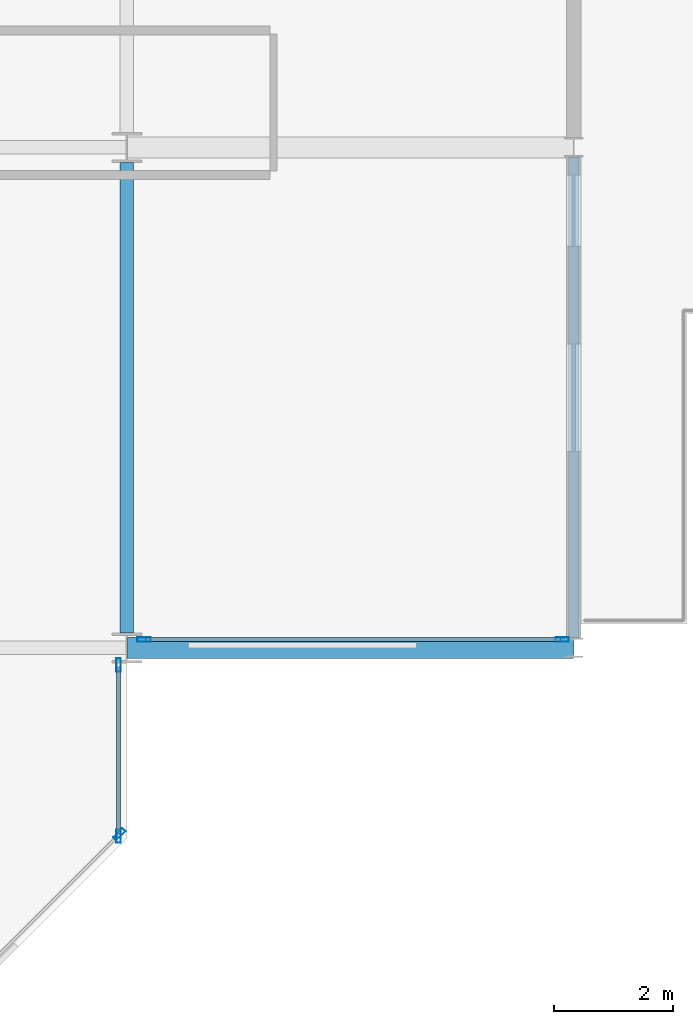
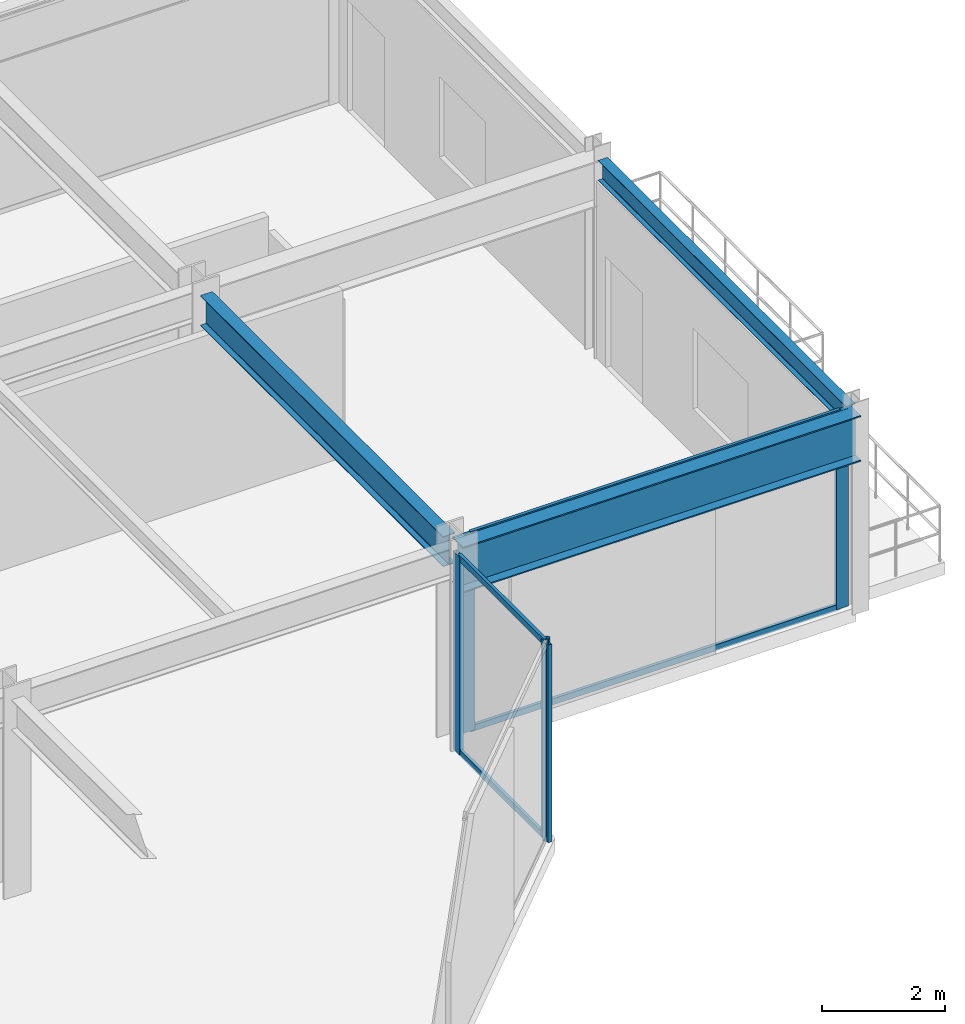
# One storey, part 13 of 26: 9 members, 3 beams, 3 elements without a shape of their own.
"""IFC4 building model written with IfcOpenShell, lengths in metres."""

from ifc_helpers import new_model, si_unit, direction, frame, origin, origin_2d, place, context, subcontext, project, spatial, hollow_rectangle, i_section, extrude, material, layer, layer_set, material_profile, profile_set, type_object, element, aggregate, save


model = new_model("IFC4")

# Units and contexts
model_context = context("Model", 3, precision=1e-05, world=origin(), true_north=direction((0.0, 1.0)))
body_context = subcontext(model_context, "Body", "Model", "MODEL_VIEW")
ifc_project = project(units=[si_unit("LENGTHUNIT", "METRE"), si_unit("AREAUNIT", "SQUARE_METRE"), si_unit("VOLUMEUNIT", "CUBIC_METRE"), si_unit("PLANEANGLEUNIT", "RADIAN"), si_unit("MASSUNIT", "GRAM", prefix="KILO")], contexts=[model_context])

# Site, building, storey
site_placement = place(None, origin())
site = spatial("IfcSite", under=ifc_project, at=site_placement, CompositionType="ELEMENT")
building_placement = place(site_placement, origin())
building = spatial("IfcBuilding", under=site, at=building_placement, Name="Nerrivon Quay Data Exchange", CompositionType="ELEMENT")
storey_placement = place(building_placement, frame((0.0, 0.0, 71.0)))
storey = spatial("IfcBuildingStorey", under=building, at=storey_placement, Name="L16", CompositionType="ELEMENT", Elevation=71.0)

# Beams
ifc_material_1 = material(Name="Steel Grade 350", Category="steel")
ifc_material_profile_1 = material_profile(ifc_material_1, i_section(OverallWidth=0.35009765625, OverallDepth=0.909912109375, WebThickness=0.011962890625, FlangeThickness=0.02490234375, at=origin_2d()), Name="900WB218")
ifc_profile_set_1 = profile_set([ifc_material_profile_1], Name="Steel Grade 350")
beam_type_1 = type_object("IfcBeamType", Name="BM-CANT-900WB", PredefinedType="USERDEFINED", material=ifc_profile_set_1)
beam_1_placement = place(storey_placement, frame((50.4140625, 8.39990234375, 3.469970703125), z_axis=(1.0, 0.0, 0.0), x_axis=(0.0, 1.0, 0.0)))
element("IfcBeam", 1, at=beam_1_placement, inside=storey, type_object=beam_type_1, Name="L16 East Hooked Cantilever Girder Y=8.4", ObjectType="TRANSFER", PredefinedType="USERDEFINED", context=body_context, shape_type="SweptSolid", body=[
    extrude(i_section(OverallWidth=0.35009765625, OverallDepth=0.909912109375, WebThickness=0.011962890625, FlangeThickness=0.02490234375, at=origin_2d()), origin(), (0.0, 0.0, 1.0), 7.47802734375),
])
ifc_material_profile_2 = material_profile(ifc_material_1, i_section(OverallWidth=0.22802734375, OverallDepth=0.60205078125, WebThickness=0.010498046875, FlangeThickness=0.014892578125, FilletRadius=0.013916015625, at=origin_2d()), Name="610UB101")
ifc_profile_set_2 = profile_set([ifc_material_profile_2], Name="Steel Grade 350")
beam_type_2 = type_object("IfcBeamType", Name="BM-G2-610UB101", PredefinedType="BEAM", material=ifc_profile_set_2)
beam_2_placement = place(storey_placement, frame((50.39990234375, 8.64990234375, 3.6240234375), z_axis=(0.0, 1.0, 0.0), x_axis=(-1.0, 0.0, 0.0)))
element("IfcBeam", 2, at=beam_2_placement, inside=storey, type_object=beam_type_2, Name="L16 NS Girder X=50.4 (8.4..16.8)", PredefinedType="BEAM", context=body_context, shape_type="SweptSolid", body=[
    extrude(i_section(OverallWidth=0.22802734375, OverallDepth=0.60205078125, WebThickness=0.010498046875, FlangeThickness=0.014892578125, FilletRadius=0.013916015625, at=origin_2d()), origin(), (0.0, 0.0, 1.0), 7.900146484375),
])
ifc_material_profile_3 = material_profile(ifc_material_1, i_section(OverallWidth=0.177978515625, OverallDepth=0.403076171875, WebThickness=0.007568359375, FlangeThickness=0.010986328125, FilletRadius=0.011474609375, at=origin_2d()), Name="410UB53.7")
ifc_profile_set_3 = profile_set([ifc_material_profile_3], Name="Steel Grade 350")
beam_type_3 = type_object("IfcBeamType", Name="BM-SP2-410UB54", PredefinedType="SPANDREL", material=ifc_profile_set_3)
beam_3_placement = place(storey_placement, frame((57.89990234375, 8.5634765625, 3.723388671875), z_axis=(0.0, 1.0, 0.0), x_axis=(-1.0, 0.0, 0.0)))
element("IfcBeam", 3, at=beam_3_placement, inside=storey, type_object=beam_type_3, Name="L16 East Hooked Edge Spandrel", PredefinedType="SPANDREL", context=body_context, shape_type="SweptSolid", body=[
    extrude(i_section(OverallWidth=0.177978515625, OverallDepth=0.403076171875, WebThickness=0.007568359375, FlangeThickness=0.010986328125, FilletRadius=0.011474609375, at=origin_2d()), origin(), (0.0, 0.0, 1.0), 8.072998046875),
])

# Curtain wall, members
ifc_material_2 = material(Name="Anodised aluminium 6063-T6", Category="aluminium")
ifc_layer_1 = layer(ifc_material_2, 0.199951171875)
ifc_layer_set_1 = layer_set([ifc_layer_1], Name="Anodised aluminium 6063-T6")
curtain_wall_type_1 = type_object("IfcCurtainWallType", Name="CW-SYS-04", PredefinedType="NOTDEFINED", material=ifc_layer_set_1)
curtain_wall_1_placement = place(storey_placement, origin())
curtain_wall_1 = element("IfcCurtainWall", 4, at=curtain_wall_1_placement, inside=storey, type_object=curtain_wall_type_1, Name="L16 Unitised Curtain Wall 3", PredefinedType="NOTDEFINED")
ifc_material_profile_4 = material_profile(ifc_material_2, hollow_rectangle(XDim=0.074951171875, YDim=0.219970703125, WallThickness=0.00390625, at=origin_2d()), Name="ALU-MULL-220x75")
ifc_profile_set_4 = profile_set([ifc_material_profile_4], Name="Anodised aluminium 6063-T6")
member_type_1 = type_object("IfcMemberType", Name="CWM-220x75", PredefinedType="MULLION", material=ifc_profile_set_4)
member_1_placement = place(storey_placement, frame((57.70703125, 8.5400390625, 0.0), z_axis=(0.0, 0.0, 1.0), x_axis=(0.0, -1.0, 0.0)))
member_1 = element("IfcMember", 5, at=member_1_placement, type_object=member_type_1, Name="CW04 mullion 1", PredefinedType="MULLION", context=body_context, shape_type="SweptSolid", body=[
    extrude(hollow_rectangle(XDim=0.074951171875, YDim=0.219970703125, WallThickness=0.00390625, at=origin_2d()), origin(), (0.0, 0.0, 1.0), 3.925048828125),
])
member_2_placement = place(storey_placement, frame((50.6875, 8.5400390625, 0.0), z_axis=(0.0, 0.0, 1.0), x_axis=(0.0, -1.0, 0.0)))
member_2 = element("IfcMember", 6, at=member_2_placement, type_object=member_type_1, Name="CW04 mullion 2", PredefinedType="MULLION", context=body_context, shape_type="SweptSolid", body=[
    extrude(hollow_rectangle(XDim=0.074951171875, YDim=0.219970703125, WallThickness=0.00390625, at=origin_2d()), origin(), (0.0, 0.0, 1.0), 3.925048828125),
])

ifc_layer_2 = layer(ifc_material_2, 0.219970703125)
ifc_layer_set_2 = layer_set([ifc_layer_2], Name="Anodised aluminium 6063-T6")
curtain_wall_type_2 = type_object("IfcCurtainWallType", Name="CW-SYS-01", PredefinedType="NOTDEFINED", material=ifc_layer_set_2)
curtain_wall_2_placement = place(storey_placement, origin())
curtain_wall_2 = element("IfcCurtainWall", 7, at=curtain_wall_2_placement, inside=storey, type_object=curtain_wall_type_2, Name="L16 Unitised Curtain Wall 4", PredefinedType="NOTDEFINED")
member_3_placement = place(storey_placement, frame((50.260009765625, 8.112548828125, 0.0), z_axis=(0.0, 0.0, 1.0), x_axis=(1.0, 0.0, 0.0)))
member_3 = element("IfcMember", 8, at=member_3_placement, type_object=member_type_1, Name="CW01 mullion 1", PredefinedType="MULLION", context=body_context, shape_type="SweptSolid", body=[
    extrude(hollow_rectangle(XDim=0.074951171875, YDim=0.219970703125, WallThickness=0.00390625, at=origin_2d()), origin(), (0.0, 0.0, 1.0), 3.925048828125),
])
member_4_placement = place(storey_placement, frame((50.260009765625, 5.237548828125, 0.0), z_axis=(0.0, 0.0, 1.0), x_axis=(1.0, 0.0, 0.0)))
member_4 = element("IfcMember", 9, at=member_4_placement, type_object=member_type_1, Name="CW01 mullion 2", PredefinedType="MULLION", context=body_context, shape_type="SweptSolid", body=[
    extrude(hollow_rectangle(XDim=0.074951171875, YDim=0.219970703125, WallThickness=0.00390625, at=origin_2d()), origin(), (0.0, 0.0, 1.0), 3.925048828125),
])

# Curtain wall, member
curtain_wall_3_placement = place(storey_placement, origin())
curtain_wall_3 = element("IfcCurtainWall", 10, at=curtain_wall_3_placement, inside=storey, type_object=curtain_wall_type_2, Name="L16 Unitised Curtain Wall 5", PredefinedType="NOTDEFINED")
member_5_placement = place(storey_placement, frame((50.2744140625, 5.2724609375, 0.0), z_axis=(0.0, 0.0, 1.0), x_axis=(0.707106781187, -0.707106781187, 0.0)))
member_5 = element("IfcMember", 11, at=member_5_placement, type_object=member_type_1, Name="CW01 mullion 1", PredefinedType="MULLION", context=body_context, shape_type="SweptSolid", body=[
    extrude(hollow_rectangle(XDim=0.074951171875, YDim=0.219970703125, WallThickness=0.00390625, at=origin_2d()), origin(), (0.0, 0.0, 1.0), 3.925048828125),
])
aggregate(curtain_wall_3, [member_5])

# Member
ifc_material_profile_5 = material_profile(ifc_material_2, hollow_rectangle(XDim=0.06005859375, YDim=0.1201171875, WallThickness=0.003173828125, at=origin_2d()), Name="ALU-TRAN-120x60")
ifc_profile_set_5 = profile_set([ifc_material_profile_5], Name="Anodised aluminium 6063-T6")
member_type_2 = type_object("IfcMemberType", Name="CWT-120x60", PredefinedType="USERDEFINED", material=ifc_profile_set_5)
member_6_placement = place(storey_placement, frame((57.66943359375, 8.5400390625, 0.032470703125), z_axis=(-1.0, 0.0, 0.0), x_axis=(0.0, -1.0, 0.0)))
member_6 = element("IfcMember", 12, at=member_6_placement, type_object=member_type_2, Name="CW04 transom 1.1", ObjectType="TRANSOM", PredefinedType="USERDEFINED", context=body_context, shape_type="SweptSolid", body=[
    extrude(hollow_rectangle(XDim=0.06005859375, YDim=0.1201171875, WallThickness=0.003173828125, at=origin_2d()), origin(), (0.0, 0.0, 1.0), 6.9443359375),
])

member_7_placement = place(storey_placement, frame((57.66943359375, 8.5400390625, 3.892578125), z_axis=(-1.0, 0.0, 0.0), x_axis=(0.0, -1.0, 0.0)))
member_7 = element("IfcMember", 13, at=member_7_placement, type_object=member_type_2, Name="CW04 transom 1.2", ObjectType="TRANSOM", PredefinedType="USERDEFINED", context=body_context, shape_type="SweptSolid", body=[
    extrude(hollow_rectangle(XDim=0.06005859375, YDim=0.1201171875, WallThickness=0.003173828125, at=origin_2d()), origin(), (0.0, 0.0, 1.0), 6.9443359375),
])

aggregate(curtain_wall_1, [member_1, member_2, member_6, member_7])

member_8_placement = place(storey_placement, frame((50.260009765625, 8.074951171875, 0.032470703125), z_axis=(0.0, -1.0, 0.0), x_axis=(1.0, 0.0, 0.0)))
member_8 = element("IfcMember", 14, at=member_8_placement, type_object=member_type_2, Name="CW01 transom 1.1", ObjectType="TRANSOM", PredefinedType="USERDEFINED", context=body_context, shape_type="SweptSolid", body=[
    extrude(hollow_rectangle(XDim=0.06005859375, YDim=0.1201171875, WallThickness=0.003173828125, at=origin_2d()), origin(), (0.0, 0.0, 1.0), 2.800048828125),
])

member_9_placement = place(storey_placement, frame((50.260009765625, 8.074951171875, 3.892578125), z_axis=(0.0, -1.0, 0.0), x_axis=(1.0, 0.0, 0.0)))
member_9 = element("IfcMember", 15, at=member_9_placement, type_object=member_type_2, Name="CW01 transom 1.2", ObjectType="TRANSOM", PredefinedType="USERDEFINED", context=body_context, shape_type="SweptSolid", body=[
    extrude(hollow_rectangle(XDim=0.06005859375, YDim=0.1201171875, WallThickness=0.003173828125, at=origin_2d()), origin(), (0.0, 0.0, 1.0), 2.800048828125),
])

aggregate(curtain_wall_2, [member_3, member_4, member_8, member_9])

save(model, "model.ifc")
